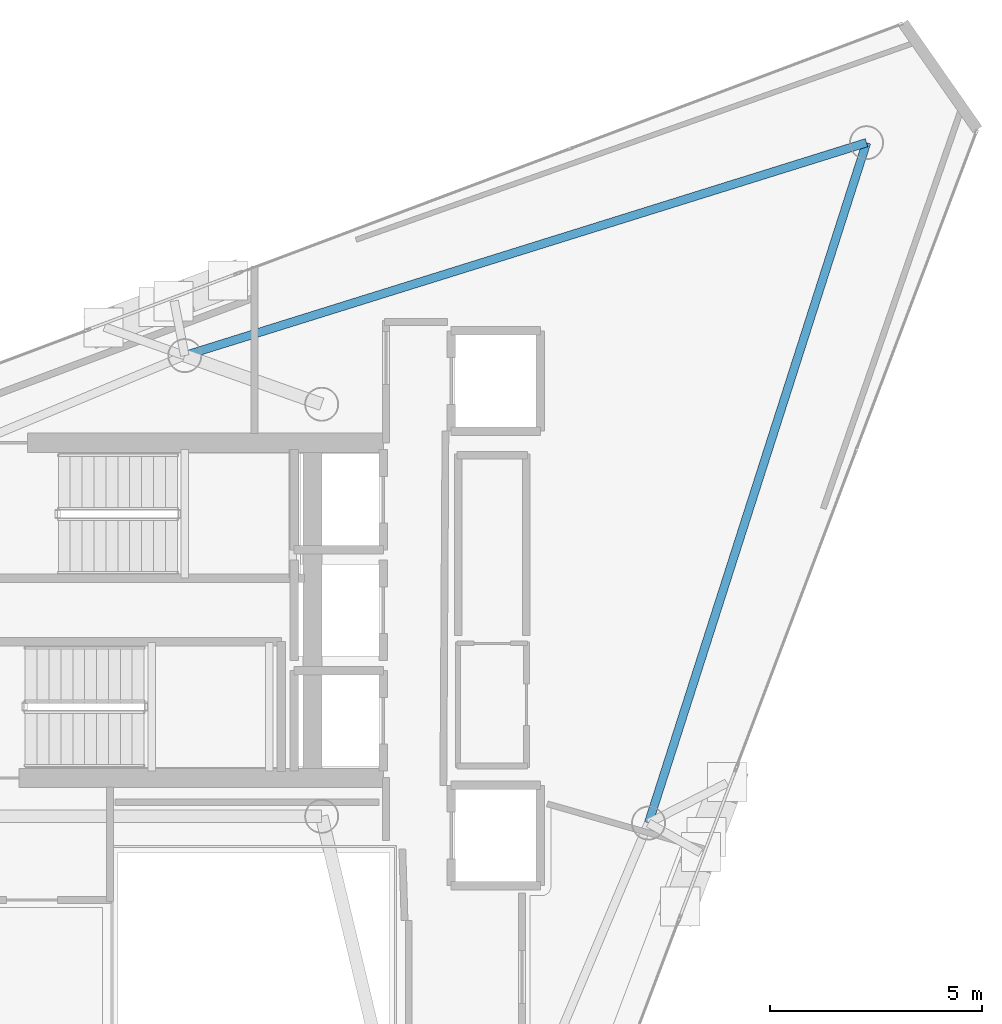
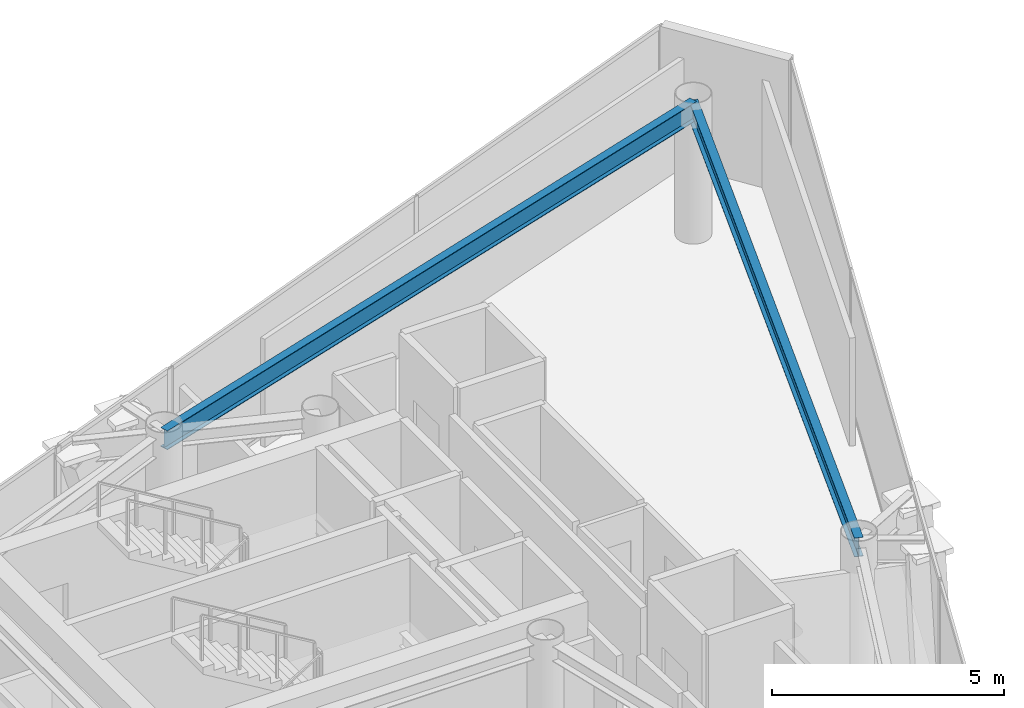
# One storey, part 13 of 19: 2 beams.
"""IFC4 building model written with IfcOpenShell, lengths in metres."""

from ifc_helpers import new_model, si_unit, direction, frame, origin, origin_2d, place, context, subcontext, project, spatial, i_section, extrude, material, material_profile, profile_set, type_object, element, save


model = new_model("IFC4")

# Units and contexts
model_context = context("Model", 3, precision=1e-05, world=origin(), true_north=direction((0.0, 1.0)))
body_context = subcontext(model_context, "Body", "Model", "MODEL_VIEW")
ifc_project = project(units=[si_unit("LENGTHUNIT", "METRE"), si_unit("AREAUNIT", "SQUARE_METRE"), si_unit("VOLUMEUNIT", "CUBIC_METRE"), si_unit("PLANEANGLEUNIT", "RADIAN"), si_unit("MASSUNIT", "GRAM", prefix="KILO")], contexts=[model_context])

# Site, building, storey
site_placement = place(None, origin())
site = spatial("IfcSite", under=ifc_project, at=site_placement, CompositionType="ELEMENT")
building_placement = place(site_placement, origin())
building = spatial("IfcBuilding", under=site, at=building_placement, Name="Qianvela Tower", CompositionType="ELEMENT")
storey_placement = place(building_placement, frame((0.0, 0.0, 340.699951171875)))
storey = spatial("IfcBuildingStorey", under=building, at=storey_placement, Name="L88", CompositionType="ELEMENT", Elevation=340.699951171875)

# Beams
ifc_material = material(Name="Steel Q355B", Category="steel")
ifc_material_profile = material_profile(ifc_material, i_section(OverallWidth=0.199951171875, OverallDepth=0.5, WebThickness=0.010009765625, FlangeThickness=0.01611328125, at=origin_2d()), Name="HN500x200x10x16")
ifc_profile_set = profile_set([ifc_material_profile], Name="Steel Q355B")
beam_type = type_object("IfcBeamType", Name="BM-HN500-GIRD", PredefinedType="BEAM", material=ifc_profile_set)
beam_1_placement = place(storey_placement, frame((51.22705078125, 39.7080078125, 3.26806640625), z_axis=(-0.954525695456, -0.298128657988, 0.0), x_axis=(0.298128657988, -0.954525695456, 0.0)))
element("IfcBeam", 1, at=beam_1_placement, inside=storey, type_object=beam_type, Name="L88 Perimeter Ring Spandrel Girder 1", PredefinedType="BEAM", context=body_context, shape_type="SweptSolid", body=[
    extrude(i_section(OverallWidth=0.199951171875, OverallDepth=0.5, WebThickness=0.010009765625, FlangeThickness=0.01611328125, at=origin_2d()), origin(), (0.0, 0.0, 1.0), 16.814697265625),
])
beam_2_placement = place(storey_placement, frame((46.094970703125, 23.69091796875, 3.26806640625), z_axis=(0.305132275277, 0.952309978203, 0.0), x_axis=(-0.952309978203, 0.305132275277, 0.0)))
element("IfcBeam", 2, at=beam_2_placement, inside=storey, type_object=beam_type, Name="L88 Perimeter Ring Spandrel Girder 6", PredefinedType="BEAM", context=body_context, shape_type="SweptSolid", body=[
    extrude(i_section(OverallWidth=0.199951171875, OverallDepth=0.5, WebThickness=0.010009765625, FlangeThickness=0.01611328125, at=origin_2d()), origin(), (0.0, 0.0, 1.0), 16.819091796875),
])

save(model, "model.ifc")
